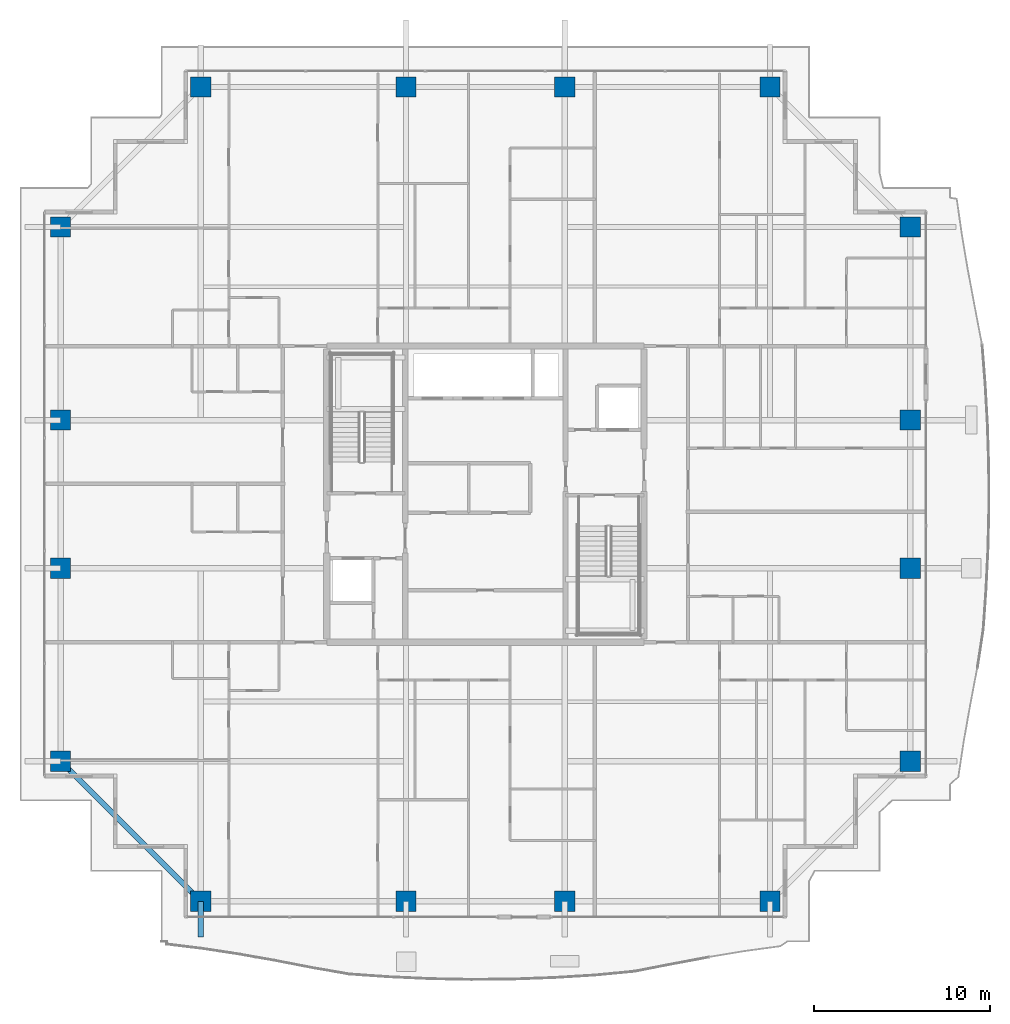
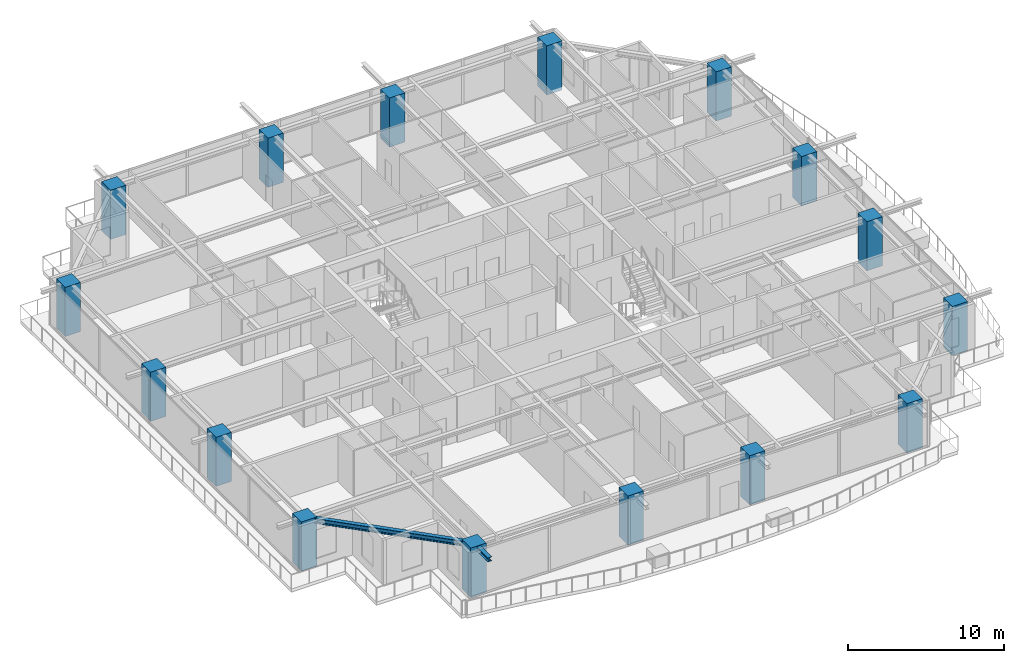
# One storey, part 1 of 38: 16 columns, 2 beams.
"""IFC4 building model written with IfcOpenShell, lengths in metres."""

from ifc_helpers import new_model, si_unit, direction, frame, origin, origin_2d, place, context, subcontext, project, spatial, rectangle, i_section, extrude, source, transform, mapped, material, material_profile, profile_set, type_object, element, save


model = new_model("IFC4")

# Units and contexts
model_context = context("Model", 3, precision=1e-05, world=origin(), true_north=direction((0.0, 1.0)))
body_context = subcontext(model_context, "Body", "Model", "MODEL_VIEW")
ifc_project = project(units=[si_unit("LENGTHUNIT", "METRE"), si_unit("AREAUNIT", "SQUARE_METRE"), si_unit("VOLUMEUNIT", "CUBIC_METRE"), si_unit("PLANEANGLEUNIT", "RADIAN"), si_unit("MASSUNIT", "GRAM", prefix="KILO")], contexts=[model_context])

# Site, building, storey
site_placement = place(None, origin())
site = spatial("IfcSite", under=ifc_project, at=site_placement, CompositionType="ELEMENT")
building_placement = place(site_placement, origin())
building = spatial("IfcBuilding", under=site, at=building_placement, Name="Serunith Strait Residences", CompositionType="ELEMENT")
storey_placement = place(building_placement, frame((0.0, 0.0, 245.10009765625)))
storey = spatial("IfcBuildingStorey", under=building, at=storey_placement, Name="L61", CompositionType="ELEMENT", Elevation=245.10009765625)

# Columns
ifc_material_1 = material(Name="Concrete C80/95", Category="concrete")
ifc_material_profile_1 = material_profile(ifc_material_1, rectangle(XDim=1.14990234375, YDim=1.14990234375, at=origin_2d()), Name="RC 1150x1150")
ifc_profile_set_1 = profile_set([ifc_material_profile_1], Name="Concrete C80/95")
column_type = type_object("IfcColumnType", Name="COL-RC-1150", PredefinedType="COLUMN", material=ifc_profile_set_1)
shared_shape_1 = source(origin(), body_context, "Body", "SweptSolid", [
    extrude(rectangle(XDim=1.14990234375, YDim=1.14990234375, at=origin_2d()), origin(), (0.0, 0.0, 1.0), 3.849853515625),
])
for number, where, z_axis, x_axis, name in (
    (1, (16.25, 2.10009765625, -0.260009765625), (0.0, 0.0, 1.0), (1.0, 0.0, 0.0), "L61 Tower Mega-Column TC-S1"),
    (2, (27.89990234375, 2.10009765625, -0.260009765625), (0.0, 0.0, 1.0), (1.0, 0.0, 0.0), "L61 Tower Mega-Column TC-S2"),
    (3, (36.89990234375, 2.10009765625, -0.260009765625), (0.0, 0.0, 1.0), (1.0, 0.0, 0.0), "L61 Tower Mega-Column TC-S3"),
    (4, (48.550048828125, 2.10009765625, -0.260009765625), (0.0, 0.0, 1.0), (1.0, 0.0, 0.0), "L61 Tower Mega-Column TC-S4"),
    (5, (16.25, 48.300048828125, -0.260009765625), (0.0, 0.0, 1.0), (1.0, 0.0, 0.0), "L61 Tower Mega-Column TC-N1"),
    (6, (27.89990234375, 48.300048828125, -0.260009765625), (0.0, 0.0, 1.0), (1.0, 0.0, 0.0), "L61 Tower Mega-Column TC-N2"),
    (7, (36.89990234375, 48.300048828125, -0.260009765625), (0.0, 0.0, 1.0), (1.0, 0.0, 0.0), "L61 Tower Mega-Column TC-N3"),
    (8, (48.550048828125, 48.300048828125, -0.260009765625), (0.0, 0.0, 1.0), (1.0, 0.0, 0.0), "L61 Tower Mega-Column TC-N4"),
    (9, (56.5, 10.050048828125, -0.260009765625), (0.0, 0.0, 1.0), (1.0, 0.0, 0.0), "L61 Tower Mega-Column TC-E1"),
    (10, (56.5, 21.0, -0.260009765625), (0.0, 0.0, 1.0), (1.0, 0.0, 0.0), "L61 Tower Mega-Column TC-E2"),
    (11, (56.5, 29.39990234375, -0.260009765625), (0.0, 0.0, 1.0), (1.0, 0.0, 0.0), "L61 Tower Mega-Column TC-E3"),
    (12, (56.5, 40.35009765625, -0.260009765625), (0.0, 0.0, 1.0), (1.0, 0.0, 0.0), "L61 Tower Mega-Column TC-E4"),
    (13, (8.300048828125, 10.050048828125, -0.260009765625), (0.0, 0.0, 1.0), (1.0, 0.0, 0.0), "L61 Tower Mega-Column TC-W1"),
    (14, (8.300048828125, 21.0, -0.260009765625), (0.0, 0.0, 1.0), (1.0, 0.0, 0.0), "L61 Tower Mega-Column TC-W2"),
    (15, (8.300048828125, 29.39990234375, -0.260009765625), (0.0, 0.0, 1.0), (1.0, 0.0, 0.0), "L61 Tower Mega-Column TC-W3"),
    (16, (8.300048828125, 40.35009765625, -0.260009765625), (0.0, 0.0, 1.0), (1.0, 0.0, 0.0), "L61 Tower Mega-Column TC-W4"),
):
    element("IfcColumn", number, at=place(storey_placement, frame(where, z_axis=z_axis, x_axis=x_axis)), inside=storey, type_object=column_type, Name=name, PredefinedType="COLUMN", context=body_context, shape_type="MappedRepresentation", body=[
        mapped(shared_shape_1, transform((0.0, 0.0, 0.0), scale=1.0)),
    ])

# Beams
ifc_material_2 = material(Name="Steel S355J2", Category="steel")
ifc_material_profile_2 = material_profile(ifc_material_2, i_section(OverallWidth=0.300048828125, OverallDepth=0.39990234375, WebThickness=0.013427734375, FlangeThickness=0.02392578125, FilletRadius=0.027099609375, at=origin_2d()), Name="HEB 400")
ifc_profile_set_2 = profile_set([ifc_material_profile_2], Name="Steel S355J2")
beam_type_1 = type_object("IfcBeamType", Name="BM-HEB400", PredefinedType="BEAM", material=ifc_profile_set_2)
shared_shape_2 = source(origin(), body_context, "Body", "SweptSolid", [
    extrude(i_section(OverallWidth=0.300048828125, OverallDepth=0.39990234375, WebThickness=0.013427734375, FlangeThickness=0.02392578125, FilletRadius=0.027099609375, at=origin_2d()), origin(), (0.0, 0.0, 1.0), 11.242919921875),
])
beam_1_placement = place(storey_placement, frame((8.300048828125, 10.050048828125, 3.35693359375), z_axis=(0.707106781187, -0.707106781187, 0.0), x_axis=(0.707106781187, 0.707106781187, 0.0)))
element("IfcBeam", 17, at=beam_1_placement, inside=storey, type_object=beam_type_1, Name="L61 Perimeter Ring Beam 16", PredefinedType="BEAM", context=body_context, shape_type="MappedRepresentation", body=[
    mapped(shared_shape_2, transform((0.0, 0.0, 0.0), scale=1.0)),
])
ifc_material_profile_3 = material_profile(ifc_material_2, i_section(OverallWidth=0.300048828125, OverallDepth=0.320068359375, WebThickness=0.011474609375, FlangeThickness=0.0205078125, FilletRadius=0.027099609375, at=origin_2d()), Name="HEB 320")
ifc_profile_set_3 = profile_set([ifc_material_profile_3], Name="Steel S355J2")
beam_type_2 = type_object("IfcBeamType", Name="BM-HEB320", PredefinedType="BEAM", material=ifc_profile_set_3)
shared_shape_3 = source(origin(), body_context, "Body", "SweptSolid", [
    extrude(i_section(OverallWidth=0.300048828125, OverallDepth=0.320068359375, WebThickness=0.011474609375, FlangeThickness=0.0205078125, FilletRadius=0.027099609375, at=origin_2d()), origin(), (0.0, 0.0, 1.0), 2.030029296875),
])
beam_2_placement = place(storey_placement, frame((16.25, 2.10009765625, 3.39697265625), z_axis=(0.0, -1.0, 0.0), x_axis=(1.0, 0.0, 0.0)))
element("IfcBeam", 18, at=beam_2_placement, inside=storey, type_object=beam_type_2, Name="L62 Cantilevered Balcony Rib TC-S1", PredefinedType="BEAM", context=body_context, shape_type="MappedRepresentation", body=[
    mapped(shared_shape_3, transform((0.0, 0.0, 0.0), scale=1.0)),
])

save(model, "model.ifc")
